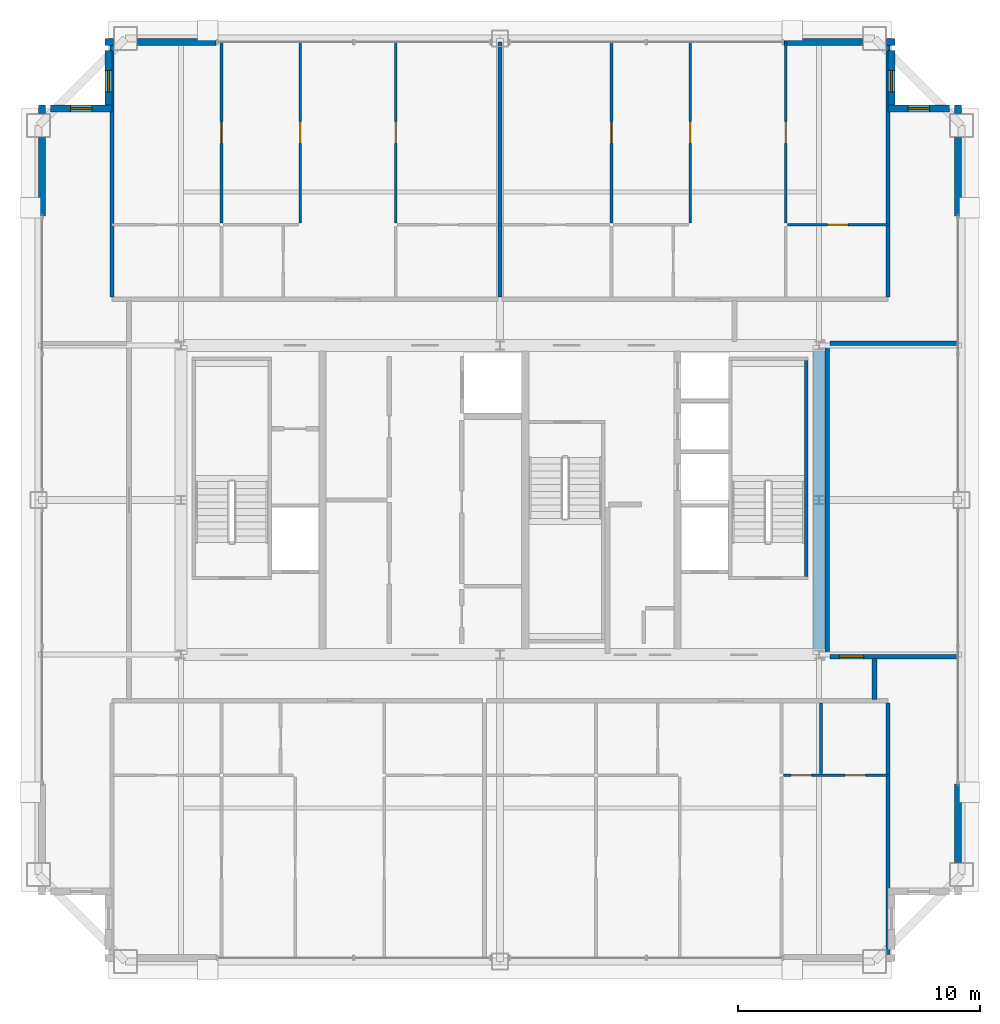
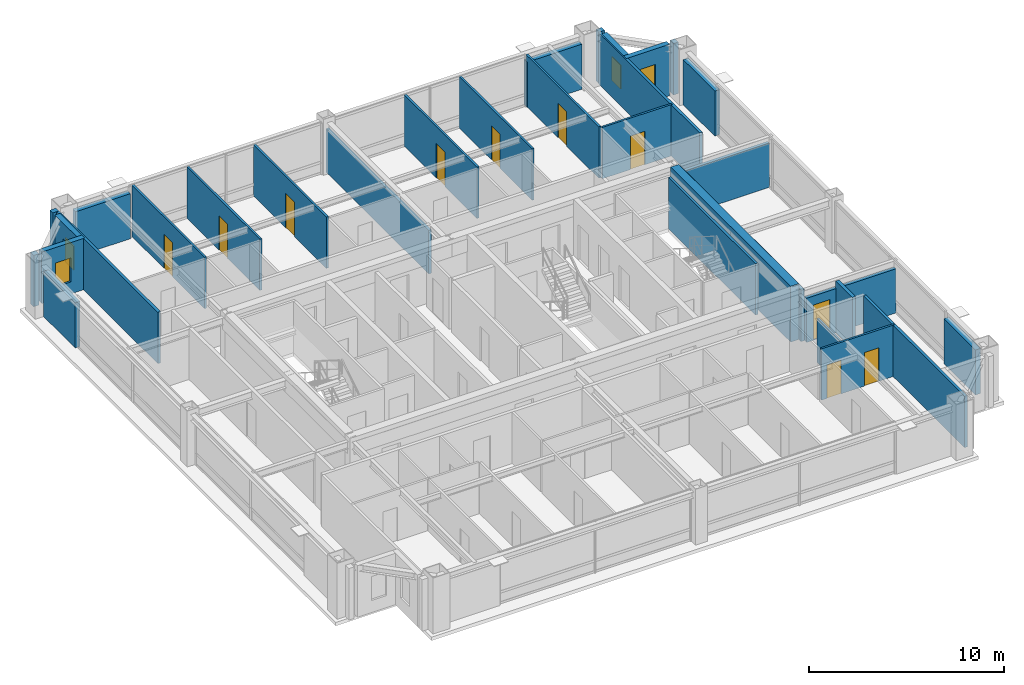
# One storey, part 33 of 35: 32 walls, 10 doors, 4 windows, 14 openings.
"""IFC4 building model written with IfcOpenShell, lengths in metres."""

from ifc_helpers import new_model, si_unit, direction, frame, frame_2d, origin, place, context, subcontext, project, spatial, rectangle, extrude, source, transform, mapped, material, layer, layer_set, type_object, element, fill, save


model = new_model("IFC4")

# Units and contexts
model_context = context("Model", 3, precision=1e-05, world=origin(), true_north=direction((0.0, 1.0)))
body_context = subcontext(model_context, "Body", "Model", "MODEL_VIEW")
ifc_project = project(units=[si_unit("LENGTHUNIT", "METRE"), si_unit("AREAUNIT", "SQUARE_METRE"), si_unit("VOLUMEUNIT", "CUBIC_METRE"), si_unit("PLANEANGLEUNIT", "RADIAN"), si_unit("MASSUNIT", "GRAM", prefix="KILO"), si_unit("THERMODYNAMICTEMPERATUREUNIT", "KELVIN"), si_unit("POWERUNIT", "WATT")], contexts=[model_context])

# Site, building, storey
site_placement = place(None, origin())
site = spatial("IfcSite", under=ifc_project, at=site_placement, CompositionType="ELEMENT")
building_placement = place(site_placement, origin())
building = spatial("IfcBuilding", under=site, at=building_placement, Name="Yuzanri Waterfront Tower", CompositionType="ELEMENT")
storey_placement = place(building_placement, frame((0.0, 0.0, 303.10009765625)))
storey = spatial("IfcBuildingStorey", under=building, at=storey_placement, Name="L81", CompositionType="ELEMENT", Elevation=303.10009765625)

# Wall, openings, doors
ifc_material_1 = material(Name="Moisture-Resistant Gypsum Stud Wall", Category="gypsum")
ifc_layer_1 = layer(ifc_material_1, 0.1201171875)
ifc_layer_set_1 = layer_set([ifc_layer_1], Name="Moisture-Resistant Gypsum Stud Wall")
wall_type_1 = type_object("IfcWallType", Name="Bathroom and Kitchen Wet Partition 120", PredefinedType="PARTITIONING", material=ifc_layer_set_1)
wall_1_placement = place(storey_placement, frame((48.738037109375, 14.409912109375, 0.0), z_axis=(0.0, 0.0, 1.0), x_axis=(1.0, 0.0, 0.0)))
wall_1 = element("IfcWall", 1, at=wall_1_placement, inside=storey, type_object=wall_type_1, Name="L81 Partition UW-L81-HS2-SUB-6-N", PredefinedType="PARTITIONING", context=body_context, shape_type="SweptSolid", body=[
    extrude(rectangle(XDim=4.322021484375, YDim=0.1201171875, at=frame_2d((2.1611328125, 0.0))), origin(), (0.0, 0.0, 1.0), 3.219970703125),
])
opening_1_placement = place(wall_1_placement, frame((2.547119140625, 0.0, 0.0)))
opening_1 = element("IfcOpeningElement", 2, at=opening_1_placement, cuts=wall_1, Name="Opening ID-0850", PredefinedType="OPENING", context=body_context, shape_type="SweptSolid", body=[
    extrude(rectangle(XDim=0.85009765625, YDim=2.10009765625, at=frame_2d((0.425048828125, 1.050048828125))), frame((0.0, 0.074951171875, 0.0), z_axis=(0.0, -1.0, 0.0), x_axis=(1.0, 0.0, 0.0)), (0.0, 0.0, 1.0), 0.14990234375),
])
opening_2_placement = place(wall_1_placement, frame((0.305908203125, 0.0, 0.0)))
opening_2 = element("IfcOpeningElement", 3, at=opening_2_placement, cuts=wall_1, Name="Opening ID-0850", PredefinedType="OPENING", context=body_context, shape_type="SweptSolid", body=[
    extrude(rectangle(XDim=0.85009765625, YDim=2.10009765625, at=frame_2d((0.425048828125, 1.050048828125))), frame((0.0, 0.074951171875, 0.0), z_axis=(0.0, -1.0, 0.0), x_axis=(1.0, 0.0, 0.0)), (0.0, 0.0, 1.0), 0.14990234375),
])
ifc_material_2 = material(Name="Moisture-Resistant Lacquered Timber", Category="wood")
door_type_1 = type_object("IfcDoorType", Name="En-Suite Bathroom and Kitchen Swing Door 850x2100", OperationType="NOTDEFINED", PredefinedType="DOOR", material=ifc_material_2)
shared_shape_1 = source(origin(), body_context, "Body", "SweptSolid", [
    extrude(rectangle(XDim=0.85009765625, YDim=2.10009765625, at=frame_2d((0.425048828125, 1.050048828125))), frame((0.0, 0.02490234375, 0.0), z_axis=(0.0, -1.0, 0.0), x_axis=(1.0, 0.0, 0.0)), (0.0, 0.0, 1.0), 0.050048828125),
])
door_1_placement = place(opening_1_placement, origin())
door_1 = element("IfcDoor", 4, at=door_1_placement, inside=storey, type_object=door_type_1, Name="L81 Suite Interior Room Door", OperationType="SINGLE_SWING_LEFT", OverallHeight=2.10009765625, OverallWidth=0.85009765625, PredefinedType="DOOR", context=body_context, shape_type="MappedRepresentation", body=[
    mapped(shared_shape_1, transform((0.0, 0.0, 0.0), scale=1.0)),
])
fill(opening_1, door_1)
door_2_placement = place(opening_2_placement, origin())
door_2 = element("IfcDoor", 5, at=door_2_placement, inside=storey, type_object=door_type_1, Name="L81 Suite Interior Room Door", OperationType="SINGLE_SWING_RIGHT", OverallHeight=2.10009765625, OverallWidth=0.85009765625, PredefinedType="DOOR", context=body_context, shape_type="MappedRepresentation", body=[
    mapped(shared_shape_1, transform((0.0, 0.0, 0.0), scale=1.0)),
])
fill(opening_2, door_2)

# Wall, opening, door
wall_2_placement = place(storey_placement, frame((25.469970703125, 37.27001953125, 0.0), z_axis=(0.0, 0.0, 1.0), x_axis=(0.0, 1.0, 0.0)))
wall_2 = element("IfcWall", 6, at=wall_2_placement, inside=storey, type_object=wall_type_1, Name="L81 Partition UW-L81-HN1-SUB-4-E", PredefinedType="PARTITIONING", context=body_context, shape_type="SweptSolid", body=[
    extrude(rectangle(XDim=7.47998046875, YDim=0.1201171875, at=frame_2d((3.739990234375, 0.0))), origin(), (0.0, 0.0, 1.0), 3.219970703125),
])
opening_3_placement = place(wall_2_placement, frame((3.2900390625, 0.0, 0.0)))
opening_3 = element("IfcOpeningElement", 7, at=opening_3_placement, cuts=wall_2, Name="Opening ID-0900", PredefinedType="OPENING", context=body_context, shape_type="SweptSolid", body=[
    extrude(rectangle(XDim=0.89990234375, YDim=2.14990234375, at=frame_2d((0.449951171875, 1.074951171875))), frame((0.0, 0.074951171875, 0.0), z_axis=(0.0, -1.0, 0.0), x_axis=(1.0, 0.0, 0.0)), (0.0, 0.0, 1.0), 0.14990234375),
])
ifc_material_3 = material(Name="Stained Walnut Veneer Timber", Category="wood")
door_type_2 = type_object("IfcDoorType", Name="Bedroom and Study Interior Swing Door 900x2150", OperationType="NOTDEFINED", PredefinedType="DOOR", material=ifc_material_3)
shared_shape_2 = source(origin(), body_context, "Body", "SweptSolid", [
    extrude(rectangle(XDim=0.89990234375, YDim=2.14990234375, at=frame_2d((0.449951171875, 1.074951171875))), frame((0.0, 0.02490234375, 0.0), z_axis=(0.0, -1.0, 0.0), x_axis=(1.0, 0.0, 0.0)), (0.0, 0.0, 1.0), 0.050048828125),
])
door_3_placement = place(opening_3_placement, origin())
door_3 = element("IfcDoor", 8, at=door_3_placement, inside=storey, type_object=door_type_2, Name="L81 Suite Interior Room Door", OperationType="SINGLE_SWING_RIGHT", OverallHeight=2.14990234375, OverallWidth=0.89990234375, PredefinedType="DOOR", context=body_context, shape_type="MappedRepresentation", body=[
    mapped(shared_shape_2, transform((0.0, 0.0, 0.0), scale=1.0)),
])
fill(opening_3, door_3)

wall_3_placement = place(storey_placement, frame((32.68505859375, 37.27001953125, 0.0), z_axis=(0.0, 0.0, 1.0), x_axis=(0.0, 1.0, 0.0)))
wall_3 = element("IfcWall", 9, at=wall_3_placement, inside=storey, type_object=wall_type_1, Name="L81 Partition UW-L81-HN1-SUB-5-W", PredefinedType="PARTITIONING", context=body_context, shape_type="SweptSolid", body=[
    extrude(rectangle(XDim=7.47998046875, YDim=0.1201171875, at=frame_2d((3.739990234375, 0.0))), origin(), (0.0, 0.0, 1.0), 3.219970703125),
])
opening_4_placement = place(wall_3_placement, frame((3.2900390625, 0.0, 0.0)))
opening_4 = element("IfcOpeningElement", 10, at=opening_4_placement, cuts=wall_3, Name="Opening ID-0900", PredefinedType="OPENING", context=body_context, shape_type="SweptSolid", body=[
    extrude(rectangle(XDim=0.89990234375, YDim=2.14990234375, at=frame_2d((0.449951171875, 1.074951171875))), frame((0.0, 0.074951171875, 0.0), z_axis=(0.0, -1.0, 0.0), x_axis=(1.0, 0.0, 0.0)), (0.0, 0.0, 1.0), 0.14990234375),
])
door_4_placement = place(opening_4_placement, origin())
door_4 = element("IfcDoor", 11, at=door_4_placement, inside=storey, type_object=door_type_2, Name="L81 Suite Interior Room Door", OperationType="SINGLE_SWING_LEFT", OverallHeight=2.14990234375, OverallWidth=0.89990234375, PredefinedType="DOOR", context=body_context, shape_type="MappedRepresentation", body=[
    mapped(shared_shape_2, transform((0.0, 0.0, 0.0), scale=1.0)),
])
fill(opening_4, door_4)

wall_4_placement = place(storey_placement, frame((28.73388671875, 37.27001953125, 0.0), z_axis=(0.0, 0.0, 1.0), x_axis=(0.0, 1.0, 0.0)))
wall_4 = element("IfcWall", 12, at=wall_4_placement, inside=storey, type_object=wall_type_1, Name="L81 Partition UW-L81-HN1-SUB-6-E", PredefinedType="PARTITIONING", context=body_context, shape_type="SweptSolid", body=[
    extrude(rectangle(XDim=7.47998046875, YDim=0.1201171875, at=frame_2d((3.739990234375, 0.0))), origin(), (0.0, 0.0, 1.0), 3.219970703125),
])
opening_5_placement = place(wall_4_placement, frame((3.2900390625, 0.0, 0.0)))
opening_5 = element("IfcOpeningElement", 13, at=opening_5_placement, cuts=wall_4, Name="Opening ID-0900", PredefinedType="OPENING", context=body_context, shape_type="SweptSolid", body=[
    extrude(rectangle(XDim=0.89990234375, YDim=2.14990234375, at=frame_2d((0.449951171875, 1.074951171875))), frame((0.0, 0.074951171875, 0.0), z_axis=(0.0, -1.0, 0.0), x_axis=(1.0, 0.0, 0.0)), (0.0, 0.0, 1.0), 0.14990234375),
])
door_5_placement = place(opening_5_placement, origin())
door_5 = element("IfcDoor", 14, at=door_5_placement, inside=storey, type_object=door_type_2, Name="L81 Suite Interior Room Door", OperationType="SINGLE_SWING_RIGHT", OverallHeight=2.14990234375, OverallWidth=0.89990234375, PredefinedType="DOOR", context=body_context, shape_type="MappedRepresentation", body=[
    mapped(shared_shape_2, transform((0.0, 0.0, 0.0), scale=1.0)),
])
fill(opening_5, door_5)

wall_5_placement = place(storey_placement, frame((48.905029296875, 37.18994140625, 0.0), z_axis=(0.0, 0.0, 1.0), x_axis=(1.0, 0.0, 0.0)))
wall_5 = element("IfcWall", 15, at=wall_5_placement, inside=storey, type_object=wall_type_1, Name="L81 Partition UW-L81-HN2-SUB-3-N", PredefinedType="PARTITIONING", context=body_context, shape_type="SweptSolid", body=[
    extrude(rectangle(XDim=4.155029296875, YDim=0.1201171875, at=frame_2d((2.07763671875, 0.0))), origin(), (0.0, 0.0, 1.0), 3.219970703125),
])
opening_6_placement = place(wall_5_placement, frame((1.652587890625, 0.0, 0.0)))
opening_6 = element("IfcOpeningElement", 16, at=opening_6_placement, cuts=wall_5, Name="Opening ID-0850", PredefinedType="OPENING", context=body_context, shape_type="SweptSolid", body=[
    extrude(rectangle(XDim=0.85009765625, YDim=2.10009765625, at=frame_2d((0.425048828125, 1.050048828125))), frame((0.0, 0.074951171875, 0.0), z_axis=(0.0, -1.0, 0.0), x_axis=(1.0, 0.0, 0.0)), (0.0, 0.0, 1.0), 0.14990234375),
])
door_6_placement = place(opening_6_placement, origin())
door_6 = element("IfcDoor", 17, at=door_6_placement, inside=storey, type_object=door_type_1, Name="L81 Suite Interior Room Door", OperationType="SINGLE_SWING_RIGHT", OverallHeight=2.10009765625, OverallWidth=0.85009765625, PredefinedType="DOOR", context=body_context, shape_type="MappedRepresentation", body=[
    mapped(shared_shape_1, transform((0.0, 0.0, 0.0), scale=1.0)),
])
fill(opening_6, door_6)

wall_6_placement = place(storey_placement, frame((41.610107421875, 37.27001953125, 0.0), z_axis=(0.0, 0.0, 1.0), x_axis=(0.0, 1.0, 0.0)))
wall_6 = element("IfcWall", 18, at=wall_6_placement, inside=storey, type_object=wall_type_1, Name="L81 Partition UW-L81-HN2-SUB-4-E", PredefinedType="PARTITIONING", context=body_context, shape_type="SweptSolid", body=[
    extrude(rectangle(XDim=7.47998046875, YDim=0.1201171875, at=frame_2d((3.739990234375, 0.0))), origin(), (0.0, 0.0, 1.0), 3.219970703125),
])
opening_7_placement = place(wall_6_placement, frame((3.2900390625, 0.0, 0.0)))
opening_7 = element("IfcOpeningElement", 19, at=opening_7_placement, cuts=wall_6, Name="Opening ID-0900", PredefinedType="OPENING", context=body_context, shape_type="SweptSolid", body=[
    extrude(rectangle(XDim=0.89990234375, YDim=2.14990234375, at=frame_2d((0.449951171875, 1.074951171875))), frame((0.0, 0.074951171875, 0.0), z_axis=(0.0, -1.0, 0.0), x_axis=(1.0, 0.0, 0.0)), (0.0, 0.0, 1.0), 0.14990234375),
])
door_7_placement = place(opening_7_placement, origin())
door_7 = element("IfcDoor", 20, at=door_7_placement, inside=storey, type_object=door_type_2, Name="L81 Suite Interior Room Door", OperationType="SINGLE_SWING_LEFT", OverallHeight=2.14990234375, OverallWidth=0.89990234375, PredefinedType="DOOR", context=body_context, shape_type="MappedRepresentation", body=[
    mapped(shared_shape_2, transform((0.0, 0.0, 0.0), scale=1.0)),
])
fill(opening_7, door_7)

wall_7_placement = place(storey_placement, frame((48.824951171875, 37.27001953125, 0.0), z_axis=(0.0, 0.0, 1.0), x_axis=(0.0, 1.0, 0.0)))
wall_7 = element("IfcWall", 21, at=wall_7_placement, inside=storey, type_object=wall_type_1, Name="L81 Partition UW-L81-HN2-SUB-5-W", PredefinedType="PARTITIONING", context=body_context, shape_type="SweptSolid", body=[
    extrude(rectangle(XDim=7.47998046875, YDim=0.1201171875, at=frame_2d((3.739990234375, 0.0))), origin(), (0.0, 0.0, 1.0), 3.219970703125),
])
opening_8_placement = place(wall_7_placement, frame((3.2900390625, 0.0, 0.0)))
opening_8 = element("IfcOpeningElement", 22, at=opening_8_placement, cuts=wall_7, Name="Opening ID-0900", PredefinedType="OPENING", context=body_context, shape_type="SweptSolid", body=[
    extrude(rectangle(XDim=0.89990234375, YDim=2.14990234375, at=frame_2d((0.449951171875, 1.074951171875))), frame((0.0, 0.074951171875, 0.0), z_axis=(0.0, -1.0, 0.0), x_axis=(1.0, 0.0, 0.0)), (0.0, 0.0, 1.0), 0.14990234375),
])
door_8_placement = place(opening_8_placement, origin())
door_8 = element("IfcDoor", 23, at=door_8_placement, inside=storey, type_object=door_type_2, Name="L81 Suite Interior Room Door", OperationType="SINGLE_SWING_RIGHT", OverallHeight=2.14990234375, OverallWidth=0.89990234375, PredefinedType="DOOR", context=body_context, shape_type="MappedRepresentation", body=[
    mapped(shared_shape_2, transform((0.0, 0.0, 0.0), scale=1.0)),
])
fill(opening_8, door_8)

wall_8_placement = place(storey_placement, frame((44.8740234375, 37.27001953125, 0.0), z_axis=(0.0, 0.0, 1.0), x_axis=(0.0, 1.0, 0.0)))
wall_8 = element("IfcWall", 24, at=wall_8_placement, inside=storey, type_object=wall_type_1, Name="L81 Partition UW-L81-HN2-SUB-6-E", PredefinedType="PARTITIONING", context=body_context, shape_type="SweptSolid", body=[
    extrude(rectangle(XDim=7.47998046875, YDim=0.1201171875, at=frame_2d((3.739990234375, 0.0))), origin(), (0.0, 0.0, 1.0), 3.219970703125),
])
opening_9_placement = place(wall_8_placement, frame((3.2900390625, 0.0, 0.0)))
opening_9 = element("IfcOpeningElement", 25, at=opening_9_placement, cuts=wall_8, Name="Opening ID-0900", PredefinedType="OPENING", context=body_context, shape_type="SweptSolid", body=[
    extrude(rectangle(XDim=0.89990234375, YDim=2.14990234375, at=frame_2d((0.449951171875, 1.074951171875))), frame((0.0, 0.074951171875, 0.0), z_axis=(0.0, -1.0, 0.0), x_axis=(1.0, 0.0, 0.0)), (0.0, 0.0, 1.0), 0.14990234375),
])
door_9_placement = place(opening_9_placement, origin())
door_9 = element("IfcDoor", 26, at=door_9_placement, inside=storey, type_object=door_type_2, Name="L81 Suite Interior Room Door", OperationType="SINGLE_SWING_LEFT", OverallHeight=2.14990234375, OverallWidth=0.89990234375, PredefinedType="DOOR", context=body_context, shape_type="MappedRepresentation", body=[
    mapped(shared_shape_2, transform((0.0, 0.0, 0.0), scale=1.0)),
])
fill(opening_9, door_9)

# Wall, opening, window
ifc_material_4 = material(Name="Honed Chongqing Dark Basalt Stone", Category="masonry")
ifc_layer_2 = layer(ifc_material_4, 0.300048828125)
ifc_layer_set_2 = layer_set([ifc_layer_2], Name="Honed Chongqing Dark Basalt Stone")
wall_type_2 = type_object("IfcWallType", Name="Bronze Rainscreen Insulated Spandrel Portal Wall 300", PredefinedType="SOLIDWALL", material=ifc_layer_set_2)
wall_9_placement = place(storey_placement, frame((20.949951171875, 42.0, 0.0), z_axis=(0.0, 0.0, 1.0), x_axis=(-1.0, 0.0, 0.0)))
wall_9 = element("IfcWall", 27, at=wall_9_placement, inside=storey, type_object=wall_type_2, Name="L81 Notched Corner Masonry Wall NW-X", PredefinedType="SOLIDWALL", context=body_context, shape_type="SweptSolid", body=[
    extrude(rectangle(XDim=2.550048828125, YDim=0.300048828125, at=frame_2d((1.27490234375, 0.0))), origin(), (0.0, 0.0, 1.0), 3.219970703125),
])
opening_10_placement = place(wall_9_placement, frame((0.824951171875, 0.0, 0.75)))
opening_10 = element("IfcOpeningElement", 28, at=opening_10_placement, cuts=wall_9, Name="Opening WN-05", PredefinedType="OPENING", context=body_context, shape_type="SweptSolid", body=[
    extrude(rectangle(XDim=0.89990234375, YDim=1.5, at=frame_2d((0.449951171875, 0.75))), frame((0.0, 0.1650390625, 0.0), z_axis=(0.0, -1.0, 0.0), x_axis=(1.0, 0.0, 0.0)), (0.0, 0.0, 1.0), 0.329833984375),
])
ifc_material_5 = material(Name="Double-Silver Low-E Insulated Glass", Category="glass")
window_type = type_object("IfcWindowType", Name="Anodized Bronze Service and Stairwell Smoke-Vent Window 900x1500", PartitioningType="SINGLE_PANEL", PredefinedType="WINDOW", material=ifc_material_5)
shared_shape_3 = source(origin(), body_context, "Body", "SweptSolid", [
    extrude(rectangle(XDim=0.89990234375, YDim=1.5, at=frame_2d((0.449951171875, 0.75))), frame((0.0, 0.030029296875, 0.0), z_axis=(0.0, -1.0, 0.0), x_axis=(1.0, 0.0, 0.0)), (0.0, 0.0, 1.0), 0.06005859375),
])
window_1_placement = place(opening_10_placement, origin())
window_1 = element("IfcWindow", 29, at=window_1_placement, inside=storey, type_object=window_type, Name="L81 Notched Corner Window NW-X", OverallHeight=1.5, OverallWidth=0.89990234375, PartitioningType="SINGLE_PANEL", PredefinedType="WINDOW", context=body_context, shape_type="MappedRepresentation", body=[
    mapped(shared_shape_3, transform((0.0, 0.0, 0.0), scale=1.0)),
])
fill(opening_10, window_1)

wall_10_placement = place(storey_placement, frame((20.800048828125, 44.39990234375, 0.0), z_axis=(0.0, 0.0, 1.0), x_axis=(0.0, -1.0, 0.0)))
wall_10 = element("IfcWall", 30, at=wall_10_placement, inside=storey, type_object=wall_type_2, Name="L81 Notched Corner Masonry Wall NW-Y", PredefinedType="SOLIDWALL", context=body_context, shape_type="SweptSolid", body=[
    extrude(rectangle(XDim=2.5498046875, YDim=0.300048828125, at=frame_2d((1.27490234375, 0.0))), origin(), (0.0, 0.0, 1.0), 3.219970703125),
])
opening_11_placement = place(wall_10_placement, frame((0.824951171875, 0.0, 0.75)))
opening_11 = element("IfcOpeningElement", 31, at=opening_11_placement, cuts=wall_10, Name="Opening WN-05", PredefinedType="OPENING", context=body_context, shape_type="SweptSolid", body=[
    extrude(rectangle(XDim=0.89990234375, YDim=1.5, at=frame_2d((0.449951171875, 0.75))), frame((0.0, 0.1650390625, 0.0), z_axis=(0.0, -1.0, 0.0), x_axis=(1.0, 0.0, 0.0)), (0.0, 0.0, 1.0), 0.329833984375),
])
window_2_placement = place(opening_11_placement, origin())
window_2 = element("IfcWindow", 32, at=window_2_placement, inside=storey, type_object=window_type, Name="L81 Notched Corner Window NW-Y", OverallHeight=1.5, OverallWidth=0.89990234375, PartitioningType="SINGLE_PANEL", PredefinedType="WINDOW", context=body_context, shape_type="MappedRepresentation", body=[
    mapped(shared_shape_3, transform((0.0, 0.0, 0.0), scale=1.0)),
])
fill(opening_11, window_2)

wall_11_placement = place(storey_placement, frame((55.60009765625, 42.0, 0.0), z_axis=(0.0, 0.0, 1.0), x_axis=(-1.0, 0.0, 0.0)))
wall_11 = element("IfcWall", 33, at=wall_11_placement, inside=storey, type_object=wall_type_2, Name="L81 Notched Corner Masonry Wall NE-X", PredefinedType="SOLIDWALL", context=body_context, shape_type="SweptSolid", body=[
    extrude(rectangle(XDim=2.550048828125, YDim=0.300048828125, at=frame_2d((1.27490234375, 0.0))), origin(), (0.0, 0.0, 1.0), 3.219970703125),
])
opening_12_placement = place(wall_11_placement, frame((0.824951171875, 0.0, 0.75)))
opening_12 = element("IfcOpeningElement", 34, at=opening_12_placement, cuts=wall_11, Name="Opening WN-05", PredefinedType="OPENING", context=body_context, shape_type="SweptSolid", body=[
    extrude(rectangle(XDim=0.89990234375, YDim=1.5, at=frame_2d((0.449951171875, 0.75))), frame((0.0, 0.1650390625, 0.0), z_axis=(0.0, -1.0, 0.0), x_axis=(1.0, 0.0, 0.0)), (0.0, 0.0, 1.0), 0.329833984375),
])
window_3_placement = place(opening_12_placement, origin())
window_3 = element("IfcWindow", 35, at=window_3_placement, inside=storey, type_object=window_type, Name="L81 Notched Corner Window NE-X", OverallHeight=1.5, OverallWidth=0.89990234375, PartitioningType="SINGLE_PANEL", PredefinedType="WINDOW", context=body_context, shape_type="MappedRepresentation", body=[
    mapped(shared_shape_3, transform((0.0, 0.0, 0.0), scale=1.0)),
])
fill(opening_12, window_3)

wall_12_placement = place(storey_placement, frame((53.199951171875, 41.85009765625, 0.0), z_axis=(0.0, 0.0, 1.0), x_axis=(0.0, 1.0, 0.0)))
wall_12 = element("IfcWall", 36, at=wall_12_placement, inside=storey, type_object=wall_type_2, Name="L81 Notched Corner Masonry Wall NE-Y", PredefinedType="SOLIDWALL", context=body_context, shape_type="SweptSolid", body=[
    extrude(rectangle(XDim=2.5498046875, YDim=0.300048828125, at=frame_2d((1.27490234375, 0.0))), origin(), (0.0, 0.0, 1.0), 3.219970703125),
])
opening_13_placement = place(wall_12_placement, frame((0.824951171875, 0.0, 0.75)))
opening_13 = element("IfcOpeningElement", 37, at=opening_13_placement, cuts=wall_12, Name="Opening WN-05", PredefinedType="OPENING", context=body_context, shape_type="SweptSolid", body=[
    extrude(rectangle(XDim=0.89990234375, YDim=1.5, at=frame_2d((0.449951171875, 0.75))), frame((0.0, 0.1650390625, 0.0), z_axis=(0.0, -1.0, 0.0), x_axis=(1.0, 0.0, 0.0)), (0.0, 0.0, 1.0), 0.329833984375),
])
window_4_placement = place(opening_13_placement, origin())
window_4 = element("IfcWindow", 38, at=window_4_placement, inside=storey, type_object=window_type, Name="L81 Notched Corner Window NE-Y", OverallHeight=1.5, OverallWidth=0.89990234375, PartitioningType="SINGLE_PANEL", PredefinedType="WINDOW", context=body_context, shape_type="MappedRepresentation", body=[
    mapped(shared_shape_3, transform((0.0, 0.0, 0.0), scale=1.0)),
])
fill(opening_13, window_4)

# Wall, opening, door
ifc_material_6 = material(Name="Autoclaved Aerated Concrete Blockwork", Category="masonry")
ifc_layer_3 = layer(ifc_material_6, 0.199951171875)
ifc_layer_set_3 = layer_set([ifc_layer_3], Name="Autoclaved Aerated Concrete Blockwork")
wall_type_3 = type_object("IfcWallType", Name="Corridor and Unit Party Fire Wall 200", PredefinedType="PARTITIONING", material=ifc_layer_set_3)
wall_13_placement = place(storey_placement, frame((50.64990234375, 19.31005859375, 0.0), z_axis=(0.0, 0.0, 1.0), x_axis=(1.0, 0.0, 0.0)))
wall_13 = element("IfcWall", 39, at=wall_13_placement, inside=storey, type_object=wall_type_3, Name="L81 Partition UW-L81-050-CS", PredefinedType="PARTITIONING", context=body_context, shape_type="SweptSolid", body=[
    extrude(rectangle(XDim=5.300048828125, YDim=0.199951171875, at=frame_2d((2.64990234375, 0.0))), origin(), (0.0, 0.0, 1.0), 2.764892578125),
])
opening_14_placement = place(wall_13_placement, frame((0.39990234375, 0.0, 0.0)))
opening_14 = element("IfcOpeningElement", 40, at=opening_14_placement, cuts=wall_13, Name="Opening FD-1000", PredefinedType="OPENING", context=body_context, shape_type="SweptSolid", body=[
    extrude(rectangle(XDim=1.0, YDim=2.199951171875, at=frame_2d((0.5, 1.10009765625))), frame((0.0, 0.11474609375, 0.0), z_axis=(0.0, -1.0, 0.0), x_axis=(1.0, 0.0, 0.0)), (0.0, 0.0, 1.0), 0.229736328125),
])
ifc_material_7 = material(Name="Engineered Oak Fire-Rated Timber", Category="wood")
door_type_3 = type_object("IfcDoorType", Name="Guestroom and Apartment Entrance Fire Door 1000x2200", OperationType="NOTDEFINED", PredefinedType="DOOR", material=ifc_material_7)
shared_shape_4 = source(origin(), body_context, "Body", "SweptSolid", [
    extrude(rectangle(XDim=1.0, YDim=2.199951171875, at=frame_2d((0.5, 1.10009765625))), frame((0.0, 0.02490234375, 0.0), z_axis=(0.0, -1.0, 0.0), x_axis=(1.0, 0.0, 0.0)), (0.0, 0.0, 1.0), 0.050048828125),
])
door_10_placement = place(opening_14_placement, origin())
door_10 = element("IfcDoor", 41, at=door_10_placement, inside=storey, type_object=door_type_3, Name="L81 High-Rise E Wellness Gym Studio Entrance Door", OperationType="SINGLE_SWING_LEFT", OverallHeight=2.199951171875, OverallWidth=1.0, PredefinedType="DOOR", context=body_context, shape_type="MappedRepresentation", body=[
    mapped(shared_shape_4, transform((0.0, 0.0, 0.0), scale=1.0)),
])
fill(opening_14, door_10)

# Walls
ifc_material_8 = material(Name="Concrete C45", Category="concrete")
ifc_layer_4 = layer(ifc_material_8, 0.47998046875)
ifc_layer_set_4 = layer_set([ifc_layer_4], Name="Concrete C45")
wall_type_4 = type_object("IfcWallType", Name="Concrete C45 High-Rise Core Shear Wall 480", PredefinedType="SHEAR", material=ifc_layer_set_4)
shared_shape_5 = source(origin(), body_context, "Body", "SweptSolid", [
    extrude(rectangle(XDim=12.320068359375, YDim=0.47998046875, at=frame_2d((6.16015625, 0.0))), origin(), (0.0, 0.0, 1.0), 3.5),
])
wall_14_placement = place(storey_placement, frame((50.199951171875, 19.639892578125, 0.0), z_axis=(0.0, 0.0, 1.0), x_axis=(0.0, 1.0, 0.0)))
element("IfcWall", 42, at=wall_14_placement, inside=storey, type_object=wall_type_4, Name="L81 Core East Shear Wall", PredefinedType="SHEAR", context=body_context, shape_type="MappedRepresentation", body=[
    mapped(shared_shape_5, transform((0.0, 0.0, 0.0), scale=1.0)),
])
shared_shape_6 = source(origin(), body_context, "Body", "SweptSolid", [
    extrude(rectangle(XDim=0.35009765625, YDim=0.300048828125, at=frame_2d((0.175048828125, 0.0))), origin(), (0.0, 0.0, 1.0), 3.219970703125),
])
for number, where, z_axis, x_axis, name in (
    (43, (20.64990234375, 44.75, 0.0), (0.0, 0.0, 1.0), (1.0, 0.0, 0.0), "L81 Corner Column Shoulder Return CNW"),
    (44, (53.0, 44.75, 0.0), (0.0, 0.0, 1.0), (1.0, 0.0, 0.0), "L81 Corner Column Shoulder Return CNE"),
):
    element("IfcWall", number, at=place(storey_placement, frame(where, z_axis=z_axis, x_axis=x_axis)), inside=storey, type_object=wall_type_2, Name=name, PredefinedType="SOLIDWALL", context=body_context, shape_type="MappedRepresentation", body=[
        mapped(shared_shape_6, transform((0.0, 0.0, 0.0), scale=1.0)),
    ])
shared_shape_7 = source(origin(), body_context, "Body", "SweptSolid", [
    extrude(rectangle(XDim=0.349853515625, YDim=0.300048828125, at=frame_2d((0.1748046875, 0.0))), origin(), (0.0, 0.0, 1.0), 3.219970703125),
])
for number, where, z_axis, x_axis, name in (
    (45, (18.050048828125, 41.800048828125, 0.0), (0.0, 0.0, 1.0), (0.0, 1.0, 0.0), "L81 Corner Column Shoulder Return CWN"),
    (46, (55.949951171875, 41.800048828125, 0.0), (0.0, 0.0, 1.0), (0.0, 1.0, 0.0), "L81 Corner Column Shoulder Return CEN"),
):
    element("IfcWall", number, at=place(storey_placement, frame(where, z_axis=z_axis, x_axis=x_axis)), inside=storey, type_object=wall_type_2, Name=name, PredefinedType="SOLIDWALL", context=body_context, shape_type="MappedRepresentation", body=[
        mapped(shared_shape_7, transform((0.0, 0.0, 0.0), scale=1.0)),
    ])
shared_shape_8 = source(origin(), body_context, "Body", "SweptSolid", [
    extrude(rectangle(XDim=3.25, YDim=0.300048828125, at=frame_2d((1.625, 0.0))), origin(), (0.0, 0.0, 1.0), 2.824951171875),
])
for number, where, z_axis, x_axis, name in (
    (47, (22.0, 44.75, 0.0), (0.0, 0.0, 1.0), (1.0, 0.0, 0.0), "L81 N Left Braced Masonry Shoulder"),
    (48, (48.75, 44.75, 0.0), (0.0, 0.0, 1.0), (1.0, 0.0, 0.0), "L81 N Right Braced Masonry Shoulder"),
    (49, (18.050048828125, 37.550048828125, 0.0), (0.0, 0.0, 1.0), (0.0, 1.0, 0.0), "L81 W Right Braced Masonry Shoulder"),
    (50, (55.949951171875, 10.800048828125, 0.0), (0.0, 0.0, 1.0), (0.0, 1.0, 0.0), "L81 E Left Braced Masonry Shoulder"),
    (51, (55.949951171875, 37.550048828125, 0.0), (0.0, 0.0, 1.0), (0.0, 1.0, 0.0), "L81 E Right Braced Masonry Shoulder"),
):
    element("IfcWall", number, at=place(storey_placement, frame(where, z_axis=z_axis, x_axis=x_axis)), inside=storey, type_object=wall_type_2, Name=name, PredefinedType="SOLIDWALL", context=body_context, shape_type="MappedRepresentation", body=[
        mapped(shared_shape_8, transform((0.0, 0.0, 0.0), scale=1.0)),
    ])
ifc_material_9 = material(Name="Concrete C40", Category="concrete")
ifc_layer_5 = layer(ifc_material_9, 0.139892578125)
ifc_layer_set_5 = layer_set([ifc_layer_5], Name="Concrete C40")
wall_type_5 = type_object("IfcWallType", Name="Core Stair Liner and Hoistway Shaft Wall 140", PredefinedType="SOLIDWALL", material=ifc_layer_set_5)
shared_shape_9 = source(origin(), body_context, "Body", "SweptSolid", [
    extrude(rectangle(XDim=8.940185546875, YDim=0.139892578125, at=frame_2d((4.47021484375, 0.0))), origin(), (0.0, 0.0, 1.0), 3.219970703125),
])
wall_15_placement = place(storey_placement, frame((49.669921875, 22.639892578125, 0.0), z_axis=(0.0, 0.0, 1.0), x_axis=(0.0, 1.0, 0.0)))
element("IfcWall", 52, at=wall_15_placement, inside=storey, type_object=wall_type_5, Name="L81 Stair ST-02 East Shaft Wall", PredefinedType="SOLIDWALL", context=body_context, shape_type="MappedRepresentation", body=[
    mapped(shared_shape_9, transform((0.0, 0.0, 0.0), scale=1.0)),
])
shared_shape_10 = source(origin(), body_context, "Body", "SweptSolid", [
    extrude(rectangle(XDim=1.699951171875, YDim=0.199951171875, at=frame_2d((0.85009765625, 0.0))), origin(), (0.0, 0.0, 1.0), 3.219970703125),
])
wall_16_placement = place(storey_placement, frame((52.5, 17.550048828125, 0.0), z_axis=(0.0, 0.0, 1.0), x_axis=(0.0, 1.0, 0.0)))
element("IfcWall", 53, at=wall_16_placement, inside=storey, type_object=wall_type_3, Name="L81 South Foyer East End Wall", PredefinedType="PARTITIONING", context=body_context, shape_type="MappedRepresentation", body=[
    mapped(shared_shape_10, transform((0.0, 0.0, 0.0), scale=1.0)),
])
ifc_material_10 = material(Name="Gypsum Fireboard Acoustic Stud Wall", Category="gypsum")
ifc_layer_6 = layer(ifc_material_10, 0.159912109375)
ifc_layer_set_6 = layer_set([ifc_layer_6], Name="Gypsum Fireboard Acoustic Stud Wall")
wall_type_6 = type_object("IfcWallType", Name="Acoustic Suite Demising Partition 160", PredefinedType="PARTITIONING", material=ifc_layer_set_6)
shared_shape_11 = source(origin(), body_context, "Body", "SweptSolid", [
    extrude(rectangle(XDim=10.389892578125, YDim=0.159912109375, at=frame_2d((5.19482421875, 0.0))), origin(), (0.0, 0.0, 1.0), 3.219970703125),
])
wall_17_placement = place(storey_placement, frame((53.050048828125, 7.0, 0.0), z_axis=(0.0, 0.0, 1.0), x_axis=(0.0, 1.0, 0.0)))
element("IfcWall", 54, at=wall_17_placement, inside=storey, type_object=wall_type_6, Name="L81 South Band East End Wall", PredefinedType="PARTITIONING", context=body_context, shape_type="MappedRepresentation", body=[
    mapped(shared_shape_11, transform((0.0, 0.0, 0.0), scale=1.0)),
])
shared_shape_12 = source(origin(), body_context, "Body", "SweptSolid", [
    extrude(rectangle(XDim=2.89990234375, YDim=0.1201171875, at=frame_2d((1.449951171875, 0.0))), origin(), (0.0, 0.0, 1.0), 2.764892578125),
])
wall_18_placement = place(storey_placement, frame((50.280029296875, 14.489990234375, 0.0), z_axis=(0.0, 0.0, 1.0), x_axis=(0.0, 1.0, 0.0)))
element("IfcWall", 55, at=wall_18_placement, inside=storey, type_object=wall_type_1, Name="L81 Partition UW-L81-HS2-SUB-3-W", PredefinedType="PARTITIONING", context=body_context, shape_type="MappedRepresentation", body=[
    mapped(shared_shape_12, transform((0.0, 0.0, 0.0), scale=1.0)),
])
shared_shape_13 = source(origin(), body_context, "Body", "SweptSolid", [
    extrude(rectangle(XDim=10.5400390625, YDim=0.159912109375, at=frame_2d((5.27001953125, 0.0))), origin(), (0.0, 0.0, 1.0), 2.726806640625),
])
wall_19_placement = place(storey_placement, frame((37.0, 34.2099609375, 0.0), z_axis=(0.0, 0.0, 1.0), x_axis=(0.0, 1.0, 0.0)))
element("IfcWall", 56, at=wall_19_placement, inside=storey, type_object=wall_type_6, Name="L81-HN1 Party Wall", PredefinedType="PARTITIONING", context=body_context, shape_type="MappedRepresentation", body=[
    mapped(shared_shape_13, transform((0.0, 0.0, 0.0), scale=1.0)),
])
shared_shape_14 = source(origin(), body_context, "Body", "SweptSolid", [
    extrude(rectangle(XDim=10.39013671875, YDim=0.159912109375, at=frame_2d((5.195068359375, 0.0))), origin(), (0.0, 0.0, 1.0), 3.219970703125),
])
for number, where, z_axis, x_axis, name in (
    (57, (20.949951171875, 34.2099609375, 0.0), (0.0, 0.0, 1.0), (0.0, 1.0, 0.0), "L81 North Band West End Wall"),
    (58, (53.050048828125, 34.2099609375, 0.0), (0.0, 0.0, 1.0), (0.0, 1.0, 0.0), "L81 North Band East End Wall"),
):
    element("IfcWall", number, at=place(storey_placement, frame(where, z_axis=z_axis, x_axis=x_axis)), inside=storey, type_object=wall_type_6, Name=name, PredefinedType="PARTITIONING", context=body_context, shape_type="MappedRepresentation", body=[
        mapped(shared_shape_14, transform((0.0, 0.0, 0.0), scale=1.0)),
    ])
shared_shape_15 = source(origin(), body_context, "Body", "SweptSolid", [
    extrude(rectangle(XDim=5.300048828125, YDim=0.199951171875, at=frame_2d((2.64990234375, 0.0))), origin(), (0.0, 0.0, 1.0), 2.764892578125),
])
wall_20_placement = place(storey_placement, frame((50.64990234375, 32.2900390625, 0.0), z_axis=(0.0, 0.0, 1.0), x_axis=(1.0, 0.0, 0.0)))
element("IfcWall", 59, at=wall_20_placement, inside=storey, type_object=wall_type_3, Name="L81-050 Wing North Wall", PredefinedType="PARTITIONING", context=body_context, shape_type="MappedRepresentation", body=[
    mapped(shared_shape_15, transform((0.0, 0.0, 0.0), scale=1.0)),
])
shared_shape_16 = source(origin(), body_context, "Body", "SweptSolid", [
    extrude(rectangle(XDim=12.780029296875, YDim=0.199951171875, at=frame_2d((6.39013671875, 0.0))), origin(), (0.0, 0.0, 1.0), 3.219970703125),
])
wall_21_placement = place(storey_placement, frame((50.544921875, 19.409912109375, 0.0), z_axis=(0.0, 0.0, 1.0), x_axis=(0.0, 1.0, 0.0)))
element("IfcWall", 60, at=wall_21_placement, inside=storey, type_object=wall_type_3, Name="L81-050 Wing Inner Core-Side Wall", PredefinedType="PARTITIONING", context=body_context, shape_type="MappedRepresentation", body=[
    mapped(shared_shape_16, transform((0.0, 0.0, 0.0), scale=1.0)),
])

save(model, "model.ifc")
